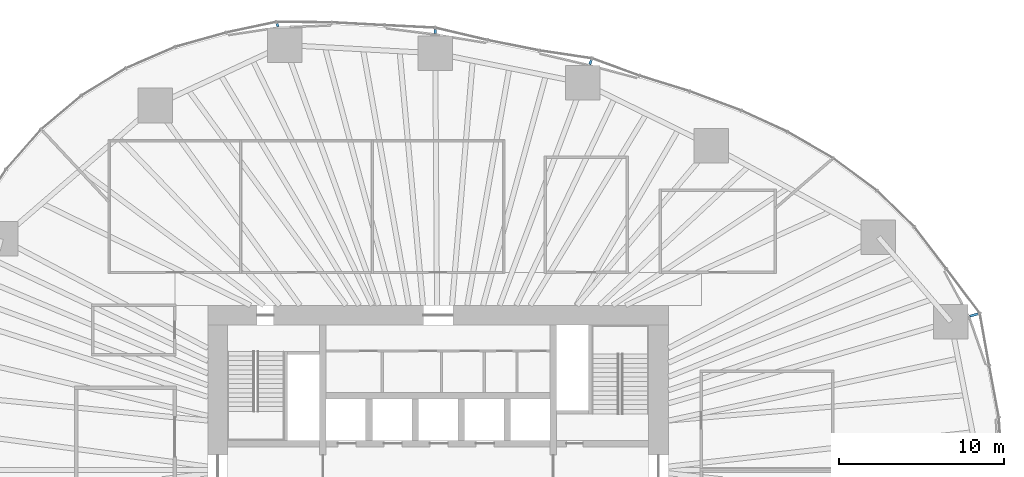
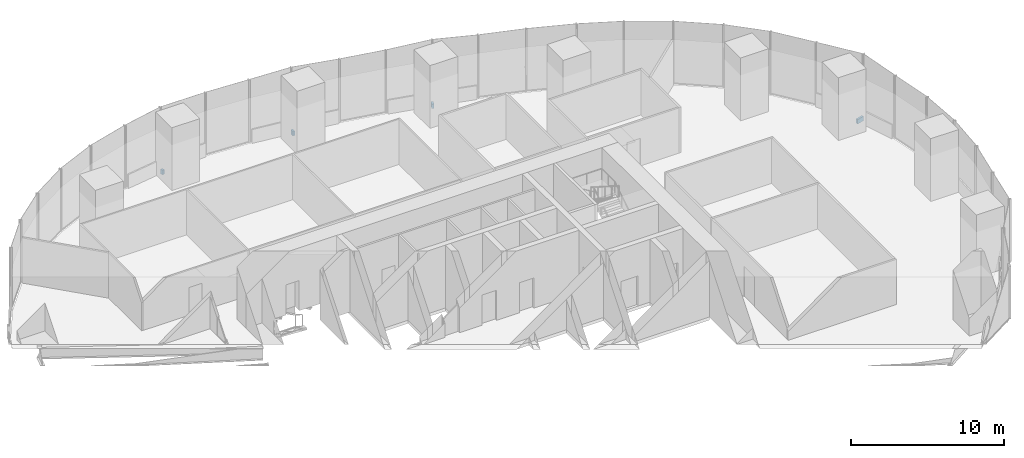
# One storey, part 15 of 20: 4 discrete accessories.
"""IFC4 building model written with IfcOpenShell, lengths in metres."""

from ifc_helpers import new_model, si_unit, direction, frame, origin, origin_2d, place, context, subcontext, project, spatial, rectangle, extrude, material, type_object, element, save


model = new_model("IFC4")

# Units and contexts
model_context = context("Model", 3, precision=1e-05, world=origin(), true_north=direction((0.0, 1.0)))
body_context = subcontext(model_context, "Body", "Model", "MODEL_VIEW")
ifc_project = project(units=[si_unit("LENGTHUNIT", "METRE"), si_unit("AREAUNIT", "SQUARE_METRE"), si_unit("VOLUMEUNIT", "CUBIC_METRE"), si_unit("PLANEANGLEUNIT", "RADIAN"), si_unit("MASSUNIT", "GRAM", prefix="KILO")], contexts=[model_context])

# Site, building, storey
site_placement = place(None, origin())
site = spatial("IfcSite", under=ifc_project, at=site_placement, CompositionType="ELEMENT")
building_placement = place(site_placement, origin())
building = spatial("IfcBuilding", under=site, at=building_placement, Name="Ghaith Harvest Tower", CompositionType="ELEMENT")
storey_placement = place(building_placement, frame((0.0, 0.0, 30.0)))
storey = spatial("IfcBuildingStorey", under=building, at=storey_placement, Name="L06", CompositionType="ELEMENT", Elevation=30.0)

# Discrete accessories
ifc_material_1 = material(Name="Stainless steel grade 1.4401", Category="steel")
discrete_accessory_type_1 = type_object("IfcDiscreteAccessoryType", Name="CURTAIN WALL BRACKET 205", PredefinedType="BRACKET", material=ifc_material_1)
discrete_accessory_1_placement = place(storey_placement, frame((-9.766845703125, 27.04150390625, -0.25), z_axis=(0.0, 0.0, 1.0), x_axis=(-0.339699453402, 0.94053404051, 0.0)))
element("IfcDiscreteAccessory", 1, at=discrete_accessory_1_placement, inside=storey, type_object=discrete_accessory_type_1, Name="CW-F bracket 1 bay 07 L06", PredefinedType="BRACKET", context=body_context, shape_type="SweptSolid", body=[
    extrude(rectangle(XDim=0.205078125, YDim=0.14990234375, at=origin_2d()), origin(), (0.0, 0.0, 1.0), 0.35009765625),
])
ifc_material_2 = material(Name="Stainless steel grade 1.4401", Category="steel")
discrete_accessory_type_2 = type_object("IfcDiscreteAccessoryType", Name="CURTAIN WALL BRACKET 255", PredefinedType="BRACKET", material=ifc_material_2)
discrete_accessory_2_placement = place(storey_placement, frame((-0.182373046875, 26.649658203125, -0.25), z_axis=(0.0, 0.0, 1.0), x_axis=(-0.006843747783, 0.999976581284, 0.0)))
element("IfcDiscreteAccessory", 2, at=discrete_accessory_2_placement, inside=storey, type_object=discrete_accessory_type_2, Name="CW-F bracket 1 bay 06 L06", PredefinedType="BRACKET", context=body_context, shape_type="SweptSolid", body=[
    extrude(rectangle(XDim=0.2548828125, YDim=0.14990234375, at=origin_2d()), origin(), (0.0, 0.0, 1.0), 0.35009765625),
])
ifc_material_3 = material(Name="Stainless steel grade 1.4401", Category="steel")
discrete_accessory_type_3 = type_object("IfcDiscreteAccessoryType", Name="CURTAIN WALL BRACKET 295", PredefinedType="BRACKET", material=ifc_material_3)
discrete_accessory_3_placement = place(storey_placement, frame((9.265380859375, 24.7841796875, -0.25), z_axis=(0.0, 0.0, 1.0), x_axis=(0.35016769709, 0.936687025593, 0.0)))
element("IfcDiscreteAccessory", 3, at=discrete_accessory_3_placement, inside=storey, type_object=discrete_accessory_type_3, Name="CW-F bracket 1 bay 05 L06", PredefinedType="BRACKET", context=body_context, shape_type="SweptSolid", body=[
    extrude(rectangle(XDim=0.294921875, YDim=0.14990234375, at=origin_2d()), origin(), (0.0, 0.0, 1.0), 0.35009765625),
])
ifc_material_4 = material(Name="Stainless steel grade 1.4401", Category="steel")
discrete_accessory_type_4 = type_object("IfcDiscreteAccessoryType", Name="CURTAIN WALL BRACKET 535", PredefinedType="BRACKET", material=ifc_material_4)
discrete_accessory_4_placement = place(storey_placement, frame((32.570556640625, 9.41357421875, -0.25), z_axis=(0.0, 0.0, 1.0), x_axis=(0.960680349985, 0.277656739792, 0.0)))
element("IfcDiscreteAccessory", 4, at=discrete_accessory_4_placement, inside=storey, type_object=discrete_accessory_type_4, Name="CW-F bracket 1 bay 02 L06", PredefinedType="BRACKET", context=body_context, shape_type="SweptSolid", body=[
    extrude(rectangle(XDim=0.534912109375, YDim=0.14990234375, at=origin_2d()), origin(), (0.0, 0.0, 1.0), 0.35009765625),
])

save(model, "model.ifc")
